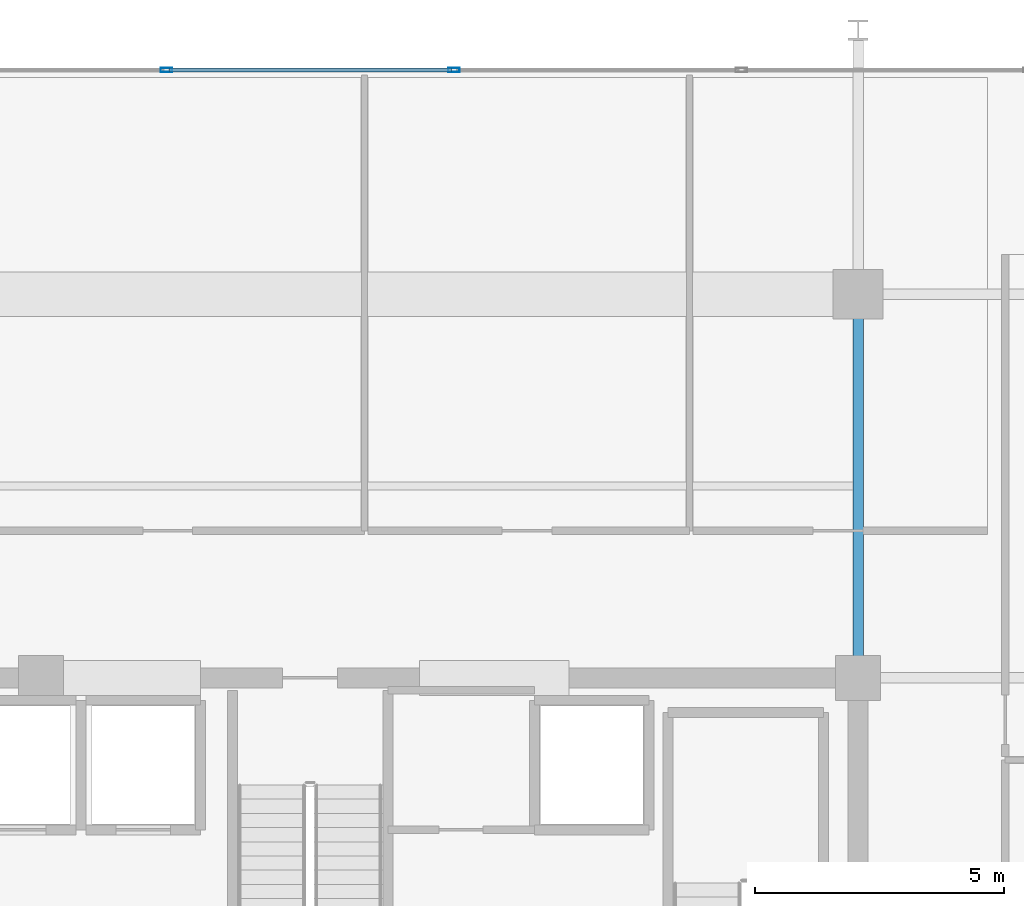
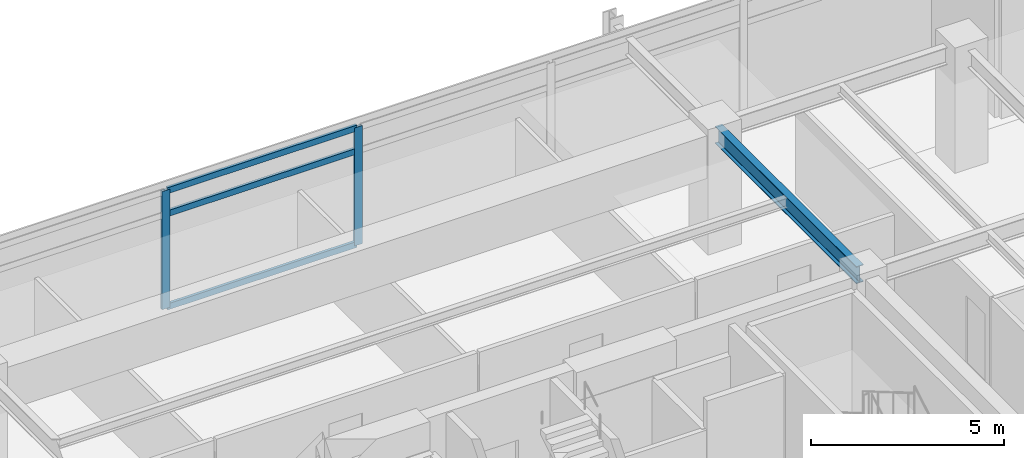
# One storey, part 9 of 20: 5 members, 1 beam, 1 element without a shape of its own.
"""IFC4 building model written with IfcOpenShell, lengths in metres."""

from ifc_helpers import new_model, si_unit, direction, frame, origin, origin_2d, place, context, subcontext, project, spatial, hollow_rectangle, i_section, extrude, material, material_profile, profile_set, type_object, element, aggregate, save


model = new_model("IFC4")

# Units and contexts
model_context = context("Model", 3, precision=1e-05, world=origin(), true_north=direction((0.0, 1.0)))
body_context = subcontext(model_context, "Body", "Model", "MODEL_VIEW")
ifc_project = project(units=[si_unit("LENGTHUNIT", "METRE"), si_unit("AREAUNIT", "SQUARE_METRE"), si_unit("VOLUMEUNIT", "CUBIC_METRE"), si_unit("PLANEANGLEUNIT", "RADIAN"), si_unit("MASSUNIT", "GRAM", prefix="KILO")], contexts=[model_context])

# Site, building, storey
site_placement = place(None, origin())
site = spatial("IfcSite", under=ifc_project, at=site_placement, CompositionType="ELEMENT")
building_placement = place(site_placement, origin())
building = spatial("IfcBuilding", under=site, at=building_placement, Name="Kovane Verandah Tower", CompositionType="ELEMENT")
storey_placement = place(building_placement, frame((0.0, 0.0, 306.800048828125)))
storey = spatial("IfcBuildingStorey", under=building, at=storey_placement, Name="L71", CompositionType="ELEMENT", Elevation=306.800048828125)

# Beam
ifc_material_1 = material(Name="Steel S355", Category="steel")
ifc_material_profile_1 = material_profile(ifc_material_1, i_section(OverallWidth=0.2119140625, OverallDepth=0.54443359375, WebThickness=0.0126953125, FlangeThickness=0.021240234375, FilletRadius=0.0126953125, at=origin_2d()), Name="UB533x210x122")
ifc_profile_set_1 = profile_set([ifc_material_profile_1], Name="Steel S355")
beam_type = type_object("IfcBeamType", Name="BM-UB533x122", PredefinedType="BEAM", material=ifc_profile_set_1)
beam_placement = place(storey_placement, frame((51.0, 36.679931640625, 3.5126953125), z_axis=(0.0, 1.0, 0.0), x_axis=(-1.0, 0.0, 0.0)))
element("IfcBeam", 1, at=beam_placement, inside=storey, type_object=beam_type, Name="L71 Primary Tower Girder G-N2", PredefinedType="BEAM", context=body_context, shape_type="SweptSolid", body=[
    extrude(i_section(OverallWidth=0.2119140625, OverallDepth=0.54443359375, WebThickness=0.0126953125, FlangeThickness=0.021240234375, FilletRadius=0.0126953125, at=origin_2d()), origin(), (0.0, 0.0, 1.0), 7.340087890625),
])

# Curtain wall, members
ifc_material_2 = material(Name="Champagne Anodised Aluminium Frame with Low-E Clear Laminated Glass", Category="aluminium")
curtain_wall_type = type_object("IfcCurtainWallType", Name="CW-SYS-05-HIGH", PredefinedType="NOTDEFINED", material=ifc_material_2)
curtain_wall_placement = place(storey_placement, origin())
curtain_wall = element("IfcCurtainWall", 2, at=curtain_wall_placement, inside=storey, type_object=curtain_wall_type, Name="L71 N Unitised Curtain Wall", PredefinedType="NOTDEFINED")
ifc_material_3 = material(Name="Champagne Anodised Aluminium 6063-T6", Category="aluminium")
ifc_material_profile_2 = material_profile(ifc_material_3, hollow_rectangle(XDim=0.0849609375, YDim=0.22998046875, WallThickness=0.00390625, at=origin_2d()), Name="AL85x230x4")
ifc_profile_set_2 = profile_set([ifc_material_profile_2], Name="Champagne Anodised Aluminium 6063-T6")
member_type_1 = type_object("IfcMemberType", Name="CW-MUL-85x230", PredefinedType="MULLION", material=ifc_profile_set_2)
member_1_placement = place(storey_placement, frame((42.8857421875, 48.699951171875, 0.02001953125), z_axis=(0.0, 0.0, 1.0), x_axis=(0.0, 1.0, 0.0)))
member_1 = element("IfcMember", 3, at=member_1_placement, type_object=member_type_1, Name="L71 N Unitised Curtain Wall Mullion 4", PredefinedType="MULLION", context=body_context, shape_type="SweptSolid", body=[
    extrude(hollow_rectangle(XDim=0.0849609375, YDim=0.22998046875, WallThickness=0.00390625, at=origin_2d()), origin(), (0.0, 0.0, 1.0), 3.744873046875),
])
member_2_placement = place(storey_placement, frame((37.1142578125, 48.699951171875, 0.02001953125), z_axis=(0.0, 0.0, 1.0), x_axis=(0.0, 1.0, 0.0)))
member_2 = element("IfcMember", 4, at=member_2_placement, type_object=member_type_1, Name="L71 N Unitised Curtain Wall Mullion 5", PredefinedType="MULLION", context=body_context, shape_type="SweptSolid", body=[
    extrude(hollow_rectangle(XDim=0.0849609375, YDim=0.22998046875, WallThickness=0.00390625, at=origin_2d()), origin(), (0.0, 0.0, 1.0), 3.744873046875),
])
ifc_material_profile_3 = material_profile(ifc_material_3, hollow_rectangle(XDim=0.0849609375, YDim=0.18994140625, WallThickness=0.00390625, at=origin_2d()), Name="AL85x190x4")
ifc_profile_set_3 = profile_set([ifc_material_profile_3], Name="Champagne Anodised Aluminium 6063-T6")
member_type_2 = type_object("IfcMemberType", Name="CW-TRN-85x190", PredefinedType="USERDEFINED", material=ifc_profile_set_3)
member_3_placement = place(storey_placement, frame((42.835693359375, 48.699951171875, 0.050048828125), z_axis=(-1.0, 0.0, 0.0), x_axis=(0.0, -1.0, 0.0)))
member_3 = element("IfcMember", 5, at=member_3_placement, type_object=member_type_2, Name="L71 N Unitised Curtain Wall Transom TB Bay 4", ObjectType="TRANSOM", PredefinedType="USERDEFINED", context=body_context, shape_type="SweptSolid", body=[
    extrude(hollow_rectangle(XDim=0.0849609375, YDim=0.18994140625, WallThickness=0.00390625, at=origin_2d()), origin(), (0.0, 0.0, 1.0), 5.67138671875),
])
member_4_placement = place(storey_placement, frame((42.835693359375, 48.699951171875, 3.0048828125), z_axis=(-1.0, 0.0, 0.0), x_axis=(0.0, -1.0, 0.0)))
member_4 = element("IfcMember", 6, at=member_4_placement, type_object=member_type_2, Name="L71 N Unitised Curtain Wall Transom TM Bay 4", ObjectType="TRANSOM", PredefinedType="USERDEFINED", context=body_context, shape_type="SweptSolid", body=[
    extrude(hollow_rectangle(XDim=0.0849609375, YDim=0.18994140625, WallThickness=0.00390625, at=origin_2d()), origin(), (0.0, 0.0, 1.0), 5.67138671875),
])
member_5_placement = place(storey_placement, frame((42.835693359375, 48.699951171875, 3.73486328125), z_axis=(-1.0, 0.0, 0.0), x_axis=(0.0, -1.0, 0.0)))
member_5 = element("IfcMember", 7, at=member_5_placement, type_object=member_type_2, Name="L71 N Unitised Curtain Wall Transom TT Bay 4", ObjectType="TRANSOM", PredefinedType="USERDEFINED", context=body_context, shape_type="SweptSolid", body=[
    extrude(hollow_rectangle(XDim=0.0849609375, YDim=0.18994140625, WallThickness=0.00390625, at=origin_2d()), origin(), (0.0, 0.0, 1.0), 5.67138671875),
])
aggregate(curtain_wall, [member_1, member_2, member_3, member_4, member_5])

save(model, "model.ifc")
